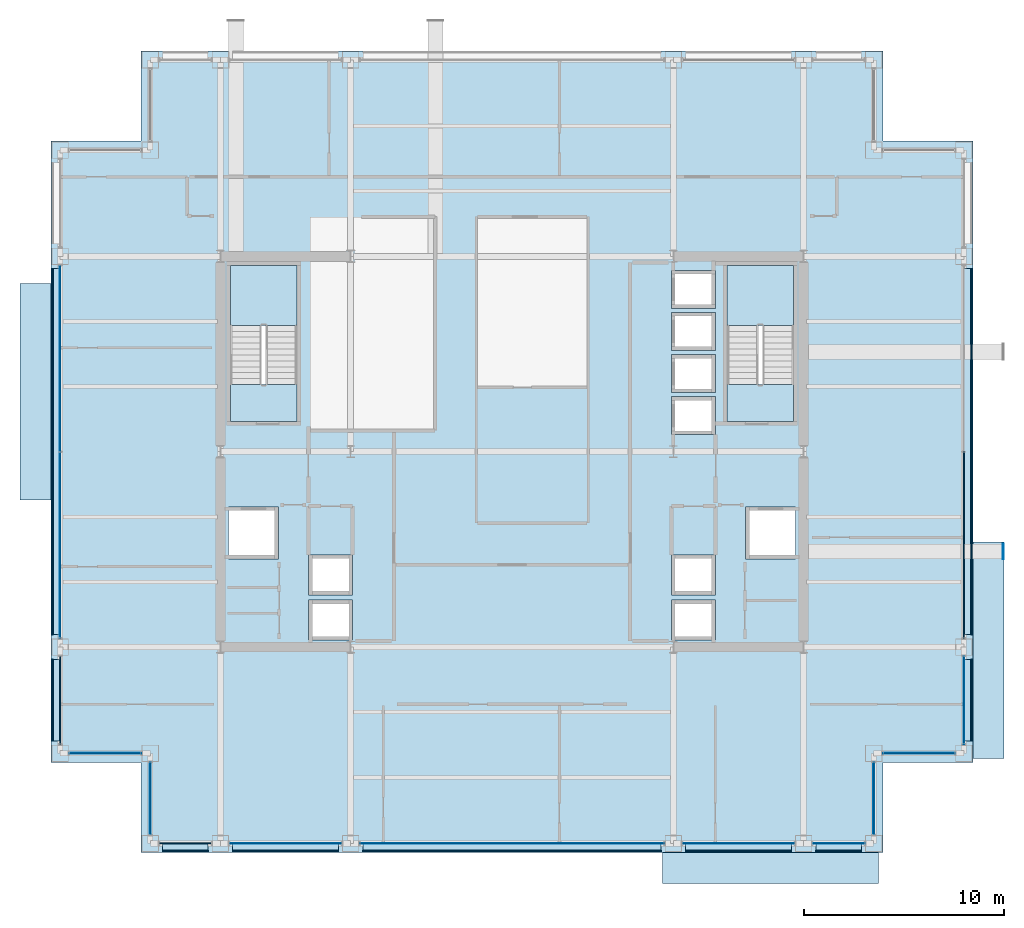
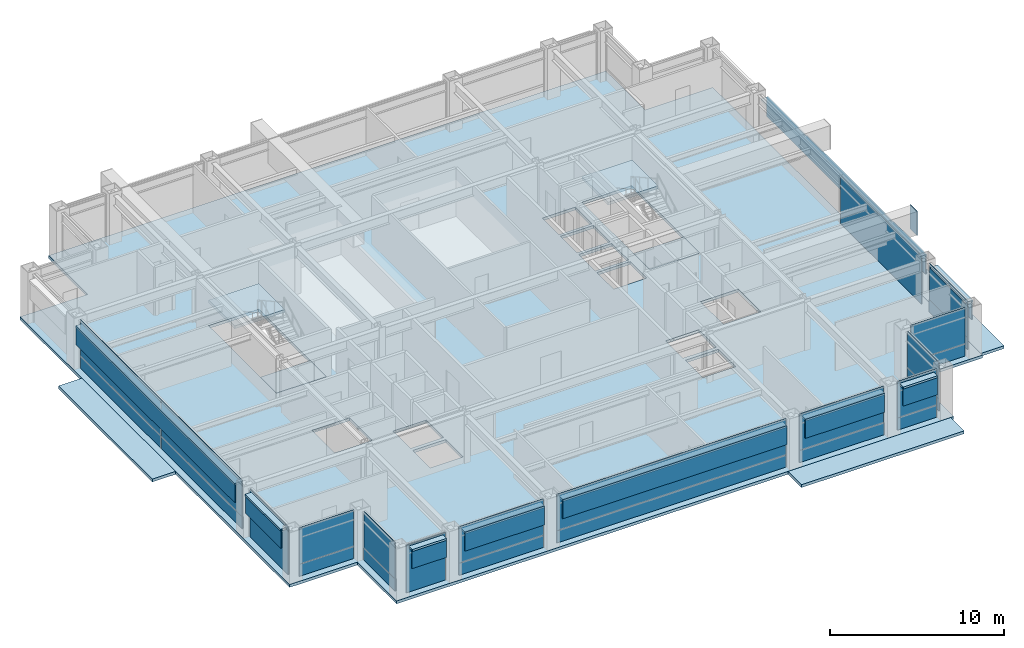
# One storey, part 29 of 34: 44 plates, 8 slabs, 15 elements without a shape of their own.
"""IFC4 building model written with IfcOpenShell, lengths in metres."""

from ifc_helpers import new_model, si_unit, direction, frame, origin, origin_2d, place, context, subcontext, project, spatial, polyline, rectangle, outline, extrude, material, layer, layer_set, type_object, element, aggregate, save


model = new_model("IFC4")

# Units and contexts
model_context = context("Model", 3, precision=1e-05, world=origin(), true_north=direction((0.0, 1.0)))
body_context = subcontext(model_context, "Body", "Model", "MODEL_VIEW")
ifc_project = project(units=[si_unit("LENGTHUNIT", "METRE"), si_unit("AREAUNIT", "SQUARE_METRE"), si_unit("VOLUMEUNIT", "CUBIC_METRE"), si_unit("PLANEANGLEUNIT", "RADIAN"), si_unit("MASSUNIT", "GRAM", prefix="KILO")], contexts=[model_context])

# Site, building, storey
site_placement = place(None, origin())
site = spatial("IfcSite", under=ifc_project, at=site_placement, CompositionType="ELEMENT")
building_placement = place(site_placement, origin())
building = spatial("IfcBuilding", under=site, at=building_placement, Name="Brelmoor Portico Tower", CompositionType="ELEMENT")
storey_placement = place(building_placement, frame((0.0, 0.0, 117.0)))
storey = spatial("IfcBuildingStorey", under=building, at=storey_placement, Name="L30", CompositionType="ELEMENT", Elevation=117.0)

# Plate
ifc_material_1 = material(Name="Steel Q355B", Category="steel")
ifc_layer_1 = layer(ifc_material_1, 0.044921875)
ifc_layer_set_1 = layer_set([ifc_layer_1], Name="Steel Q355B")
plate_type_1 = type_object("IfcPlateType", Name="PT-CAP-650", PredefinedType="SHEET", material=ifc_layer_set_1)
plate_1_placement = place(storey_placement, frame((24.52001953125, -4.97998046875, 1.72021484375), z_axis=(0.0, 0.0, 1.0), x_axis=(1.0, 0.0, 0.0)))
element("IfcPlate", 1, at=plate_1_placement, inside=storey, type_object=plate_type_1, Name="L30 Picture-Frame Cantilever End Cap Plate PFB-03", PredefinedType="SHEET", context=body_context, shape_type="SweptSolid", body=[
    extrude(rectangle(XDim=0.0400390625, YDim=0.7900390625, at=origin_2d()), origin(), (0.0, 0.0, 1.0), 1.699951171875),
])

# Curtain wall, plate
ifc_material_2 = material(Name="Anodised Aluminium Alloy 6063-T6", Category="aluminium")
ifc_layer_2 = layer(ifc_material_2, 0.179931640625)
ifc_layer_set_2 = layer_set([ifc_layer_2], Name="Anodised Aluminium Alloy 6063-T6")
curtain_wall_type_1 = type_object("IfcCurtainWallType", Name="CW-TOWER-Z2", PredefinedType="NOTDEFINED", material=ifc_layer_set_2)
curtain_wall_1_placement = place(storey_placement, origin())
curtain_wall_1 = element("IfcCurtainWall", 2, at=curtain_wall_1_placement, inside=storey, type_object=curtain_wall_type_1, Name="L30 Curtain Wall CW-L30-01-2", PredefinedType="NOTDEFINED")
ifc_material_3 = material(Name="Double-Silver Low-E Insulated Glazing", Category="glass")
ifc_layer_3 = layer(ifc_material_3, 0.035888671875)
ifc_layer_set_3 = layer_set([ifc_layer_3], Name="Double-Silver Low-E Insulated Glazing")
plate_type_2 = type_object("IfcPlateType", Name="PT-CW-GLASS", PredefinedType="CURTAIN_PANEL", material=ifc_layer_set_3)
plate_2_placement = place(storey_placement, frame((-11.300048828125, -19.550048828125, 0.85009765625), z_axis=(0.0, 0.0, 1.0), x_axis=(1.0, 0.0, 0.0)))
plate_2 = element("IfcPlate", 3, at=plate_2_placement, type_object=plate_type_2, Name="CW-L30-01-2 Vision Glass Panel 00", PredefinedType="CURTAIN_PANEL", context=body_context, shape_type="SweptSolid", body=[
    extrude(rectangle(XDim=5.60009765625, YDim=0.035888671875, at=origin_2d()), origin(), (0.0, 0.0, 1.0), 2.550048828125),
])

curtain_wall_2_placement = place(storey_placement, origin())
curtain_wall_2 = element("IfcCurtainWall", 4, at=curtain_wall_2_placement, inside=storey, type_object=curtain_wall_type_1, Name="L30 Curtain Wall CW-L30-01-3", PredefinedType="NOTDEFINED")
plate_3_placement = place(storey_placement, frame((0.0, -19.550048828125, 0.85009765625), z_axis=(0.0, 0.0, 1.0), x_axis=(1.0, 0.0, 0.0)))
plate_3 = element("IfcPlate", 5, at=plate_3_placement, type_object=plate_type_2, Name="CW-L30-01-3 Vision Glass Panel 00", PredefinedType="CURTAIN_PANEL", context=body_context, shape_type="SweptSolid", body=[
    extrude(rectangle(XDim=15.199951171875, YDim=0.035888671875, at=origin_2d()), origin(), (0.0, 0.0, 1.0), 2.550048828125),
])

curtain_wall_3_placement = place(storey_placement, origin())
curtain_wall_3 = element("IfcCurtainWall", 6, at=curtain_wall_3_placement, inside=storey, type_object=curtain_wall_type_1, Name="L30 Curtain Wall CW-L30-01-4", PredefinedType="NOTDEFINED")
plate_4_placement = place(storey_placement, frame((11.300048828125, -19.550048828125, 0.85009765625), z_axis=(0.0, 0.0, 1.0), x_axis=(1.0, 0.0, 0.0)))
plate_4 = element("IfcPlate", 7, at=plate_4_placement, type_object=plate_type_2, Name="CW-L30-01-4 Vision Glass Panel 00", PredefinedType="CURTAIN_PANEL", context=body_context, shape_type="SweptSolid", body=[
    extrude(rectangle(XDim=5.60009765625, YDim=0.035888671875, at=origin_2d()), origin(), (0.0, 0.0, 1.0), 2.550048828125),
])

curtain_wall_4_placement = place(storey_placement, origin())
curtain_wall_4 = element("IfcCurtainWall", 8, at=curtain_wall_4_placement, inside=storey, type_object=curtain_wall_type_1, Name="L30 Curtain Wall CW-L30-01-5", PredefinedType="NOTDEFINED")
plate_5_placement = place(storey_placement, frame((16.300048828125, -19.550048828125, 0.85009765625), z_axis=(0.0, 0.0, 1.0), x_axis=(1.0, 0.0, 0.0)))
plate_5 = element("IfcPlate", 9, at=plate_5_placement, type_object=plate_type_2, Name="CW-L30-01-5 Vision Glass Panel 00", PredefinedType="CURTAIN_PANEL", context=body_context, shape_type="SweptSolid", body=[
    extrude(rectangle(XDim=2.60009765625, YDim=0.035888671875, at=origin_2d()), origin(), (0.0, 0.0, 1.0), 2.550048828125),
])

# Curtain wall, plates
curtain_wall_5_placement = place(storey_placement, origin())
curtain_wall_5 = element("IfcCurtainWall", 10, at=curtain_wall_5_placement, inside=storey, type_object=curtain_wall_type_1, Name="L30 Curtain Wall CW-L30-03-2", PredefinedType="NOTDEFINED")
plate_6_placement = place(storey_placement, frame((-22.550048828125, -4.657470703125, 0.85009765625), z_axis=(0.0, 0.0, 1.0), x_axis=(0.0, 1.0, 0.0)))
plate_6 = element("IfcPlate", 11, at=plate_6_placement, type_object=plate_type_2, Name="CW-L30-03-2 Vision Glass Panel 00", PredefinedType="CURTAIN_PANEL", context=body_context, shape_type="SweptSolid", body=[
    extrude(rectangle(XDim=9.284912109375, YDim=0.035888671875, at=origin_2d()), origin(), (0.0, 0.0, 1.0), 2.550048828125),
])
plate_7_placement = place(storey_placement, frame((-22.550048828125, 4.657470703125, 0.85009765625), z_axis=(0.0, 0.0, 1.0), x_axis=(0.0, 1.0, 0.0)))
plate_7 = element("IfcPlate", 12, at=plate_7_placement, type_object=plate_type_2, Name="CW-L30-03-2 Vision Glass Panel 01", PredefinedType="CURTAIN_PANEL", context=body_context, shape_type="SweptSolid", body=[
    extrude(rectangle(XDim=9.284912109375, YDim=0.035888671875, at=origin_2d()), origin(), (0.0, 0.0, 1.0), 2.550048828125),
])

# Curtain wall, plate
curtain_wall_6_placement = place(storey_placement, origin())
curtain_wall_6 = element("IfcCurtainWall", 13, at=curtain_wall_6_placement, inside=storey, type_object=curtain_wall_type_1, Name="L30 Curtain Wall CW-L30-04-1", PredefinedType="NOTDEFINED")
plate_8_placement = place(storey_placement, frame((22.550048828125, -12.39990234375, 0.85009765625), z_axis=(0.0, 0.0, 1.0), x_axis=(0.0, 1.0, 0.0)))
plate_8 = element("IfcPlate", 14, at=plate_8_placement, type_object=plate_type_2, Name="CW-L30-04-1 Vision Glass Panel 00", PredefinedType="CURTAIN_PANEL", context=body_context, shape_type="SweptSolid", body=[
    extrude(rectangle(XDim=4.39990234375, YDim=0.035888671875, at=origin_2d()), origin(), (0.0, 0.0, 1.0), 2.550048828125),
])

ifc_layer_4 = layer(ifc_material_2, 0.179931640625)
ifc_layer_set_4 = layer_set([ifc_layer_4], Name="Anodised Aluminium Alloy 6063-T6")
curtain_wall_type_2 = type_object("IfcCurtainWallType", Name="CW-NOTCH-CHAMFER", PredefinedType="NOTDEFINED", material=ifc_layer_set_4)
curtain_wall_7_placement = place(storey_placement, origin())
curtain_wall_7 = element("IfcCurtainWall", 15, at=curtain_wall_7_placement, inside=storey, type_object=curtain_wall_type_2, Name="L30 Curtain Wall CWN-L30-SWH", PredefinedType="NOTDEFINED")
plate_9_placement = place(storey_placement, frame((-20.300048828125, -15.050048828125, 0.85009765625), z_axis=(0.0, 0.0, 1.0), x_axis=(1.0, 0.0, 0.0)))
plate_9 = element("IfcPlate", 16, at=plate_9_placement, type_object=plate_type_2, Name="CWN-L30-SWH Vision Glass Panel 00", PredefinedType="CURTAIN_PANEL", context=body_context, shape_type="SweptSolid", body=[
    extrude(rectangle(XDim=3.60009765625, YDim=0.035888671875, at=origin_2d()), origin(), (0.0, 0.0, 1.0), 2.550048828125),
])

curtain_wall_8_placement = place(storey_placement, origin())
curtain_wall_8 = element("IfcCurtainWall", 17, at=curtain_wall_8_placement, inside=storey, type_object=curtain_wall_type_2, Name="L30 Curtain Wall CWN-L30-SWV", PredefinedType="NOTDEFINED")
plate_10_placement = place(storey_placement, frame((-18.050048828125, -17.300048828125, 0.85009765625), z_axis=(0.0, 0.0, 1.0), x_axis=(0.0, 1.0, 0.0)))
plate_10 = element("IfcPlate", 18, at=plate_10_placement, type_object=plate_type_2, Name="CWN-L30-SWV Vision Glass Panel 00", PredefinedType="CURTAIN_PANEL", context=body_context, shape_type="SweptSolid", body=[
    extrude(rectangle(XDim=3.60009765625, YDim=0.035888671875, at=origin_2d()), origin(), (0.0, 0.0, 1.0), 2.550048828125),
])

curtain_wall_9_placement = place(storey_placement, origin())
curtain_wall_9 = element("IfcCurtainWall", 19, at=curtain_wall_9_placement, inside=storey, type_object=curtain_wall_type_2, Name="L30 Curtain Wall CWN-L30-SEH", PredefinedType="NOTDEFINED")
plate_11_placement = place(storey_placement, frame((20.300048828125, -15.050048828125, 0.85009765625), z_axis=(0.0, 0.0, 1.0), x_axis=(1.0, 0.0, 0.0)))
plate_11 = element("IfcPlate", 20, at=plate_11_placement, type_object=plate_type_2, Name="CWN-L30-SEH Vision Glass Panel 00", PredefinedType="CURTAIN_PANEL", context=body_context, shape_type="SweptSolid", body=[
    extrude(rectangle(XDim=3.60009765625, YDim=0.035888671875, at=origin_2d()), origin(), (0.0, 0.0, 1.0), 2.550048828125),
])

curtain_wall_10_placement = place(storey_placement, origin())
curtain_wall_10 = element("IfcCurtainWall", 21, at=curtain_wall_10_placement, inside=storey, type_object=curtain_wall_type_2, Name="L30 Curtain Wall CWN-L30-SEV", PredefinedType="NOTDEFINED")
plate_12_placement = place(storey_placement, frame((18.050048828125, -17.300048828125, 0.85009765625), z_axis=(0.0, 0.0, 1.0), x_axis=(0.0, 1.0, 0.0)))
plate_12 = element("IfcPlate", 22, at=plate_12_placement, type_object=plate_type_2, Name="CWN-L30-SEV Vision Glass Panel 00", PredefinedType="CURTAIN_PANEL", context=body_context, shape_type="SweptSolid", body=[
    extrude(rectangle(XDim=3.60009765625, YDim=0.035888671875, at=origin_2d()), origin(), (0.0, 0.0, 1.0), 2.550048828125),
])

ifc_layer_5 = layer(ifc_material_2, 0.179931640625)
ifc_layer_set_5 = layer_set([ifc_layer_5], Name="Anodised Aluminium Alloy 6063-T6")
curtain_wall_type_3 = type_object("IfcCurtainWallType", Name="CW-TOWER-Z2-XB", PredefinedType="NOTDEFINED", material=ifc_layer_set_5)
curtain_wall_11_placement = place(storey_placement, origin())
curtain_wall_11 = element("IfcCurtainWall", 23, at=curtain_wall_11_placement, inside=storey, type_object=curtain_wall_type_3, Name="L30 Curtain Wall CW-L30-01-1", PredefinedType="NOTDEFINED")
ifc_material_4 = material(Name="Pale Champagne Anodised Aluminium Panel", Category="aluminium")
ifc_layer_6 = layer(ifc_material_4, 0.050048828125)
ifc_layer_set_6 = layer_set([ifc_layer_6], Name="Pale Champagne Anodised Aluminium Panel")
plate_type_3 = type_object("IfcPlateType", Name="PT-CW-SPANDREL", PredefinedType="SHEET", material=ifc_layer_set_6)
plate_13_placement = place(storey_placement, frame((-16.300048828125, -19.550048828125, 0.0), z_axis=(0.0, 0.0, 1.0), x_axis=(1.0, 0.0, 0.0)))
plate_13 = element("IfcPlate", 24, at=plate_13_placement, type_object=plate_type_3, Name="CW-L30-01-1 Spandrel Panel 00", PredefinedType="SHEET", context=body_context, shape_type="SweptSolid", body=[
    extrude(rectangle(XDim=2.60009765625, YDim=0.050048828125, at=origin_2d()), origin(), (0.0, 0.0, 1.0), 3.330078125),
])
aggregate(curtain_wall_11, [plate_13])

# Plate
plate_14_placement = place(storey_placement, frame((-11.300048828125, -19.550048828125, 0.0), z_axis=(0.0, 0.0, 1.0), x_axis=(1.0, 0.0, 0.0)))
plate_14 = element("IfcPlate", 25, at=plate_14_placement, type_object=plate_type_3, Name="CW-L30-01-2 Spandrel Panel 00", PredefinedType="SHEET", context=body_context, shape_type="SweptSolid", body=[
    extrude(rectangle(XDim=5.60009765625, YDim=0.050048828125, at=origin_2d()), origin(), (0.0, 0.0, 1.0), 0.85009765625),
])

aggregate(curtain_wall_1, [plate_14, plate_2])

plate_15_placement = place(storey_placement, frame((0.0, -19.550048828125, 0.0), z_axis=(0.0, 0.0, 1.0), x_axis=(1.0, 0.0, 0.0)))
plate_15 = element("IfcPlate", 26, at=plate_15_placement, type_object=plate_type_3, Name="CW-L30-01-3 Spandrel Panel 00", PredefinedType="SHEET", context=body_context, shape_type="SweptSolid", body=[
    extrude(rectangle(XDim=15.199951171875, YDim=0.050048828125, at=origin_2d()), origin(), (0.0, 0.0, 1.0), 0.85009765625),
])

aggregate(curtain_wall_2, [plate_15, plate_3])

plate_16_placement = place(storey_placement, frame((11.300048828125, -19.550048828125, 0.0), z_axis=(0.0, 0.0, 1.0), x_axis=(1.0, 0.0, 0.0)))
plate_16 = element("IfcPlate", 27, at=plate_16_placement, type_object=plate_type_3, Name="CW-L30-01-4 Spandrel Panel 00", PredefinedType="SHEET", context=body_context, shape_type="SweptSolid", body=[
    extrude(rectangle(XDim=5.60009765625, YDim=0.050048828125, at=origin_2d()), origin(), (0.0, 0.0, 1.0), 0.85009765625),
])

aggregate(curtain_wall_3, [plate_16, plate_4])

plate_17_placement = place(storey_placement, frame((16.300048828125, -19.550048828125, 0.0), z_axis=(0.0, 0.0, 1.0), x_axis=(1.0, 0.0, 0.0)))
plate_17 = element("IfcPlate", 28, at=plate_17_placement, type_object=plate_type_3, Name="CW-L30-01-5 Spandrel Panel 00", PredefinedType="SHEET", context=body_context, shape_type="SweptSolid", body=[
    extrude(rectangle(XDim=2.60009765625, YDim=0.050048828125, at=origin_2d()), origin(), (0.0, 0.0, 1.0), 0.85009765625),
])

aggregate(curtain_wall_4, [plate_17, plate_5])

# Curtain wall, plate
curtain_wall_12_placement = place(storey_placement, origin())
curtain_wall_12 = element("IfcCurtainWall", 29, at=curtain_wall_12_placement, inside=storey, type_object=curtain_wall_type_3, Name="L30 Curtain Wall CW-L30-03-1", PredefinedType="NOTDEFINED")
plate_18_placement = place(storey_placement, frame((-22.550048828125, -12.39990234375, 0.0), z_axis=(0.0, 0.0, 1.0), x_axis=(0.0, 1.0, 0.0)))
plate_18 = element("IfcPlate", 30, at=plate_18_placement, type_object=plate_type_3, Name="CW-L30-03-1 Spandrel Panel 00", PredefinedType="SHEET", context=body_context, shape_type="SweptSolid", body=[
    extrude(rectangle(XDim=4.39990234375, YDim=0.050048828125, at=origin_2d()), origin(), (0.0, 0.0, 1.0), 3.330078125),
])
aggregate(curtain_wall_12, [plate_18])

# Plate
plate_19_placement = place(storey_placement, frame((-22.550048828125, -4.657470703125, 0.0), z_axis=(0.0, 0.0, 1.0), x_axis=(0.0, 1.0, 0.0)))
plate_19 = element("IfcPlate", 31, at=plate_19_placement, type_object=plate_type_3, Name="CW-L30-03-2 Spandrel Panel 00", PredefinedType="SHEET", context=body_context, shape_type="SweptSolid", body=[
    extrude(rectangle(XDim=9.284912109375, YDim=0.050048828125, at=origin_2d()), origin(), (0.0, 0.0, 1.0), 0.85009765625),
])

plate_20_placement = place(storey_placement, frame((-22.550048828125, 4.657470703125, 0.0), z_axis=(0.0, 0.0, 1.0), x_axis=(0.0, 1.0, 0.0)))
plate_20 = element("IfcPlate", 32, at=plate_20_placement, type_object=plate_type_3, Name="CW-L30-03-2 Spandrel Panel 01", PredefinedType="SHEET", context=body_context, shape_type="SweptSolid", body=[
    extrude(rectangle(XDim=9.284912109375, YDim=0.050048828125, at=origin_2d()), origin(), (0.0, 0.0, 1.0), 0.85009765625),
])

aggregate(curtain_wall_5, [plate_19, plate_6, plate_20, plate_7])

plate_21_placement = place(storey_placement, frame((22.550048828125, -12.39990234375, 0.0), z_axis=(0.0, 0.0, 1.0), x_axis=(0.0, 1.0, 0.0)))
plate_21 = element("IfcPlate", 33, at=plate_21_placement, type_object=plate_type_3, Name="CW-L30-04-1 Spandrel Panel 00", PredefinedType="SHEET", context=body_context, shape_type="SweptSolid", body=[
    extrude(rectangle(XDim=4.39990234375, YDim=0.050048828125, at=origin_2d()), origin(), (0.0, 0.0, 1.0), 0.85009765625),
])

aggregate(curtain_wall_6, [plate_21, plate_8])

# Curtain wall, plate
curtain_wall_13_placement = place(storey_placement, origin())
curtain_wall_13 = element("IfcCurtainWall", 34, at=curtain_wall_13_placement, inside=storey, type_object=curtain_wall_type_3, Name="L30 Curtain Wall CW-L30-04-2", PredefinedType="NOTDEFINED")
plate_22_placement = place(storey_placement, frame((22.550048828125, -4.657470703125, 0.0), z_axis=(0.0, 0.0, 1.0), x_axis=(0.0, 1.0, 0.0)))
plate_22 = element("IfcPlate", 35, at=plate_22_placement, type_object=plate_type_3, Name="CW-L30-04-2 Spandrel Panel 00", PredefinedType="SHEET", context=body_context, shape_type="SweptSolid", body=[
    extrude(rectangle(XDim=9.284912109375, YDim=0.050048828125, at=origin_2d()), origin(), (0.0, 0.0, 1.0), 3.330078125),
])
aggregate(curtain_wall_13, [plate_22])

# Plate
plate_23_placement = place(storey_placement, frame((-20.300048828125, -15.050048828125, 0.0), z_axis=(0.0, 0.0, 1.0), x_axis=(1.0, 0.0, 0.0)))
plate_23 = element("IfcPlate", 36, at=plate_23_placement, type_object=plate_type_3, Name="CWN-L30-SWH Spandrel Panel 00", PredefinedType="SHEET", context=body_context, shape_type="SweptSolid", body=[
    extrude(rectangle(XDim=3.60009765625, YDim=0.050048828125, at=origin_2d()), origin(), (0.0, 0.0, 1.0), 0.85009765625),
])

aggregate(curtain_wall_7, [plate_23, plate_9])

plate_24_placement = place(storey_placement, frame((-18.050048828125, -17.300048828125, 0.0), z_axis=(0.0, 0.0, 1.0), x_axis=(0.0, 1.0, 0.0)))
plate_24 = element("IfcPlate", 37, at=plate_24_placement, type_object=plate_type_3, Name="CWN-L30-SWV Spandrel Panel 00", PredefinedType="SHEET", context=body_context, shape_type="SweptSolid", body=[
    extrude(rectangle(XDim=3.60009765625, YDim=0.050048828125, at=origin_2d()), origin(), (0.0, 0.0, 1.0), 0.85009765625),
])

aggregate(curtain_wall_8, [plate_24, plate_10])

plate_25_placement = place(storey_placement, frame((20.300048828125, -15.050048828125, 0.0), z_axis=(0.0, 0.0, 1.0), x_axis=(1.0, 0.0, 0.0)))
plate_25 = element("IfcPlate", 38, at=plate_25_placement, type_object=plate_type_3, Name="CWN-L30-SEH Spandrel Panel 00", PredefinedType="SHEET", context=body_context, shape_type="SweptSolid", body=[
    extrude(rectangle(XDim=3.60009765625, YDim=0.050048828125, at=origin_2d()), origin(), (0.0, 0.0, 1.0), 0.85009765625),
])

aggregate(curtain_wall_9, [plate_25, plate_11])

plate_26_placement = place(storey_placement, frame((18.050048828125, -17.300048828125, 0.0), z_axis=(0.0, 0.0, 1.0), x_axis=(0.0, 1.0, 0.0)))
plate_26 = element("IfcPlate", 39, at=plate_26_placement, type_object=plate_type_3, Name="CWN-L30-SEV Spandrel Panel 00", PredefinedType="SHEET", context=body_context, shape_type="SweptSolid", body=[
    extrude(rectangle(XDim=3.60009765625, YDim=0.050048828125, at=origin_2d()), origin(), (0.0, 0.0, 1.0), 0.85009765625),
])

aggregate(curtain_wall_10, [plate_26, plate_12])

# Plates
ifc_material_5 = material(Name="Powder-Coated Aluminium Shuttered Jalousie Louvre", Category="aluminium")
ifc_layer_7 = layer(ifc_material_5, 0.06005859375)
ifc_layer_set_7 = layer_set([ifc_layer_7], Name="Powder-Coated Aluminium Shuttered Jalousie Louvre")
plate_type_4 = type_object("IfcPlateType", Name="PT-JALOUSIE-SHUTTER", PredefinedType="SHEET", material=ifc_layer_set_7)
plate_27_placement = place(storey_placement, frame((-16.300048828125, -19.929931640625, 1.8740234375), z_axis=(0.0, 0.0, 1.0), x_axis=(1.0, 0.0, 0.0)))
element("IfcPlate", 40, at=plate_27_placement, inside=storey, type_object=plate_type_4, Name="CW-L30-01-1 Perforated Jalousie Solar Screen", PredefinedType="SHEET", context=body_context, shape_type="SweptSolid", body=[
    extrude(rectangle(XDim=2.27001953125, YDim=0.06494140625, at=origin_2d()), origin(), (0.0, 0.0, 1.0), 1.325927734375),
])
plate_28_placement = place(storey_placement, frame((-11.300048828125, -19.929931640625, 1.8740234375), z_axis=(0.0, 0.0, 1.0), x_axis=(1.0, 0.0, 0.0)))
element("IfcPlate", 41, at=plate_28_placement, inside=storey, type_object=plate_type_4, Name="CW-L30-01-2 Perforated Jalousie Solar Screen", PredefinedType="SHEET", context=body_context, shape_type="SweptSolid", body=[
    extrude(rectangle(XDim=5.27001953125, YDim=0.06494140625, at=origin_2d()), origin(), (0.0, 0.0, 1.0), 1.325927734375),
])
plate_29_placement = place(storey_placement, frame((0.0, -19.929931640625, 1.8740234375), z_axis=(0.0, 0.0, 1.0), x_axis=(1.0, 0.0, 0.0)))
element("IfcPlate", 42, at=plate_29_placement, inside=storey, type_object=plate_type_4, Name="CW-L30-01-3 Perforated Jalousie Solar Screen", PredefinedType="SHEET", context=body_context, shape_type="SweptSolid", body=[
    extrude(rectangle(XDim=14.8701171875, YDim=0.06494140625, at=origin_2d()), origin(), (0.0, 0.0, 1.0), 1.325927734375),
])
plate_30_placement = place(storey_placement, frame((11.300048828125, -19.929931640625, 1.8740234375), z_axis=(0.0, 0.0, 1.0), x_axis=(1.0, 0.0, 0.0)))
element("IfcPlate", 43, at=plate_30_placement, inside=storey, type_object=plate_type_4, Name="CW-L30-01-4 Perforated Jalousie Solar Screen", PredefinedType="SHEET", context=body_context, shape_type="SweptSolid", body=[
    extrude(rectangle(XDim=5.27001953125, YDim=0.06494140625, at=origin_2d()), origin(), (0.0, 0.0, 1.0), 1.325927734375),
])
plate_31_placement = place(storey_placement, frame((16.300048828125, -19.929931640625, 1.8740234375), z_axis=(0.0, 0.0, 1.0), x_axis=(1.0, 0.0, 0.0)))
element("IfcPlate", 44, at=plate_31_placement, inside=storey, type_object=plate_type_4, Name="CW-L30-01-5 Perforated Jalousie Solar Screen", PredefinedType="SHEET", context=body_context, shape_type="SweptSolid", body=[
    extrude(rectangle(XDim=2.27001953125, YDim=0.06494140625, at=origin_2d()), origin(), (0.0, 0.0, 1.0), 1.325927734375),
])
plate_32_placement = place(storey_placement, frame((-22.929931640625, -12.39990234375, 1.8740234375), z_axis=(0.0, 0.0, 1.0), x_axis=(0.0, 1.0, 0.0)))
element("IfcPlate", 45, at=plate_32_placement, inside=storey, type_object=plate_type_4, Name="CW-L30-03-1 Perforated Jalousie Solar Screen", PredefinedType="SHEET", context=body_context, shape_type="SweptSolid", body=[
    extrude(rectangle(XDim=4.070068359375, YDim=0.06494140625, at=origin_2d()), origin(), (0.0, 0.0, 1.0), 1.325927734375),
])
plate_33_placement = place(storey_placement, frame((-22.929931640625, 0.0, 1.8740234375), z_axis=(0.0, 0.0, 1.0), x_axis=(0.0, 1.0, 0.0)))
element("IfcPlate", 46, at=plate_33_placement, inside=storey, type_object=plate_type_4, Name="CW-L30-03-2 Perforated Jalousie Solar Screen", PredefinedType="SHEET", context=body_context, shape_type="SweptSolid", body=[
    extrude(rectangle(XDim=18.27001953125, YDim=0.06494140625, at=origin_2d()), origin(), (0.0, 0.0, 1.0), 1.325927734375),
])
plate_34_placement = place(storey_placement, frame((22.929931640625, -12.39990234375, 1.8740234375), z_axis=(0.0, 0.0, 1.0), x_axis=(0.0, 1.0, 0.0)))
element("IfcPlate", 47, at=plate_34_placement, inside=storey, type_object=plate_type_4, Name="CW-L30-04-1 Perforated Jalousie Solar Screen", PredefinedType="SHEET", context=body_context, shape_type="SweptSolid", body=[
    extrude(rectangle(XDim=4.070068359375, YDim=0.06494140625, at=origin_2d()), origin(), (0.0, 0.0, 1.0), 1.325927734375),
])
plate_35_placement = place(storey_placement, frame((22.929931640625, 0.0, 1.8740234375), z_axis=(0.0, 0.0, 1.0), x_axis=(0.0, 1.0, 0.0)))
element("IfcPlate", 48, at=plate_35_placement, inside=storey, type_object=plate_type_4, Name="CW-L30-04-2 Perforated Jalousie Solar Screen", PredefinedType="SHEET", context=body_context, shape_type="SweptSolid", body=[
    extrude(rectangle(XDim=18.27001953125, YDim=0.06494140625, at=origin_2d()), origin(), (0.0, 0.0, 1.0), 1.325927734375),
])
ifc_material_6 = material(Name="Pale Champagne Perforated Aluminium Solar Screen", Category="aluminium")
ifc_layer_8 = layer(ifc_material_6, 0.054931640625)
ifc_layer_set_8 = layer_set([ifc_layer_8], Name="Pale Champagne Perforated Aluminium Solar Screen")
plate_type_5 = type_object("IfcPlateType", Name="PT-SOLAR-LOUVRE", PredefinedType="SHEET", material=ifc_layer_set_8)
plate_36_placement = place(storey_placement, frame((-16.300048828125, -19.760009765625, 3.08984375), z_axis=(0.0, 0.0, 1.0), x_axis=(1.0, 0.0, 0.0)))
element("IfcPlate", 49, at=plate_36_placement, inside=storey, type_object=plate_type_5, Name="CW-L30-01-1 Caribbean Brise-Soleil Solar Screen", PredefinedType="SHEET", context=body_context, shape_type="SweptSolid", body=[
    extrude(rectangle(XDim=2.27001953125, YDim=0.4599609375, at=origin_2d()), origin(), (0.0, 0.0, 1.0), 0.139892578125),
])
plate_37_placement = place(storey_placement, frame((-11.300048828125, -19.760009765625, 3.08984375), z_axis=(0.0, 0.0, 1.0), x_axis=(1.0, 0.0, 0.0)))
element("IfcPlate", 50, at=plate_37_placement, inside=storey, type_object=plate_type_5, Name="CW-L30-01-2 Caribbean Brise-Soleil Solar Screen", PredefinedType="SHEET", context=body_context, shape_type="SweptSolid", body=[
    extrude(rectangle(XDim=5.27001953125, YDim=0.4599609375, at=origin_2d()), origin(), (0.0, 0.0, 1.0), 0.139892578125),
])
plate_38_placement = place(storey_placement, frame((0.0, -19.760009765625, 3.08984375), z_axis=(0.0, 0.0, 1.0), x_axis=(1.0, 0.0, 0.0)))
element("IfcPlate", 51, at=plate_38_placement, inside=storey, type_object=plate_type_5, Name="CW-L30-01-3 Caribbean Brise-Soleil Solar Screen", PredefinedType="SHEET", context=body_context, shape_type="SweptSolid", body=[
    extrude(rectangle(XDim=14.8701171875, YDim=0.4599609375, at=origin_2d()), origin(), (0.0, 0.0, 1.0), 0.139892578125),
])
plate_39_placement = place(storey_placement, frame((11.300048828125, -19.760009765625, 3.08984375), z_axis=(0.0, 0.0, 1.0), x_axis=(1.0, 0.0, 0.0)))
element("IfcPlate", 52, at=plate_39_placement, inside=storey, type_object=plate_type_5, Name="CW-L30-01-4 Caribbean Brise-Soleil Solar Screen", PredefinedType="SHEET", context=body_context, shape_type="SweptSolid", body=[
    extrude(rectangle(XDim=5.27001953125, YDim=0.4599609375, at=origin_2d()), origin(), (0.0, 0.0, 1.0), 0.139892578125),
])
plate_40_placement = place(storey_placement, frame((16.300048828125, -19.760009765625, 3.08984375), z_axis=(0.0, 0.0, 1.0), x_axis=(1.0, 0.0, 0.0)))
element("IfcPlate", 53, at=plate_40_placement, inside=storey, type_object=plate_type_5, Name="CW-L30-01-5 Caribbean Brise-Soleil Solar Screen", PredefinedType="SHEET", context=body_context, shape_type="SweptSolid", body=[
    extrude(rectangle(XDim=2.27001953125, YDim=0.4599609375, at=origin_2d()), origin(), (0.0, 0.0, 1.0), 0.139892578125),
])
plate_41_placement = place(storey_placement, frame((-22.760009765625, -12.39990234375, 3.08984375), z_axis=(0.0, 0.0, 1.0), x_axis=(0.0, 1.0, 0.0)))
element("IfcPlate", 54, at=plate_41_placement, inside=storey, type_object=plate_type_5, Name="CW-L30-03-1 Caribbean Brise-Soleil Solar Screen", PredefinedType="SHEET", context=body_context, shape_type="SweptSolid", body=[
    extrude(rectangle(XDim=4.070068359375, YDim=0.4599609375, at=origin_2d()), origin(), (0.0, 0.0, 1.0), 0.139892578125),
])
plate_42_placement = place(storey_placement, frame((-22.760009765625, 0.0, 3.08984375), z_axis=(0.0, 0.0, 1.0), x_axis=(0.0, 1.0, 0.0)))
element("IfcPlate", 55, at=plate_42_placement, inside=storey, type_object=plate_type_5, Name="CW-L30-03-2 Caribbean Brise-Soleil Solar Screen", PredefinedType="SHEET", context=body_context, shape_type="SweptSolid", body=[
    extrude(rectangle(XDim=18.27001953125, YDim=0.4599609375, at=origin_2d()), origin(), (0.0, 0.0, 1.0), 0.139892578125),
])
plate_43_placement = place(storey_placement, frame((22.760009765625, -12.39990234375, 3.08984375), z_axis=(0.0, 0.0, 1.0), x_axis=(0.0, 1.0, 0.0)))
element("IfcPlate", 56, at=plate_43_placement, inside=storey, type_object=plate_type_5, Name="CW-L30-04-1 Caribbean Brise-Soleil Solar Screen", PredefinedType="SHEET", context=body_context, shape_type="SweptSolid", body=[
    extrude(rectangle(XDim=4.070068359375, YDim=0.4599609375, at=origin_2d()), origin(), (0.0, 0.0, 1.0), 0.139892578125),
])
plate_44_placement = place(storey_placement, frame((22.760009765625, 0.0, 3.08984375), z_axis=(0.0, 0.0, 1.0), x_axis=(0.0, 1.0, 0.0)))
element("IfcPlate", 57, at=plate_44_placement, inside=storey, type_object=plate_type_5, Name="CW-L30-04-2 Caribbean Brise-Soleil Solar Screen", PredefinedType="SHEET", context=body_context, shape_type="SweptSolid", body=[
    extrude(rectangle(XDim=18.27001953125, YDim=0.4599609375, at=origin_2d()), origin(), (0.0, 0.0, 1.0), 0.139892578125),
])

# Slab
ifc_material_7 = material(Name="Concrete C40", Category="concrete")
ifc_layer_9 = layer(ifc_material_7, 0.199951171875)
ifc_layer_set_9 = layer_set([ifc_layer_9], Name="Concrete C40")
slab_type_1 = type_object("IfcSlabType", Name="SL-FLOOR-200", PredefinedType="FLOOR", material=ifc_layer_set_9)
slab_1_placement = place(storey_placement, frame((0.0, 0.0, -0.199951171875)))
element("IfcSlab", 58, at=slab_1_placement, inside=storey, type_object=slab_type_1, Name="L30 Main Structural Floor Slab", PredefinedType="FLOOR", context=body_context, shape_type="SweptSolid", body=[
    extrude(outline(polyline([(-18.5, -20.0), (18.5, -20.0), (18.5, -15.5), (23.0, -15.5), (23.0, 15.5), (18.5, 15.5), (18.5, 20.0), (-18.5, 20.0), (-18.5, 15.5), (-23.0, 15.5), (-23.0, -15.5), (-18.5, -15.5), (-18.5, -20.0)]), holes=[polyline([(-10.72998046875, 1.5), (-10.72998046875, 9.300048828125), (-14.050048828125, 9.300048828125), (-14.050048828125, 1.5), (-10.72998046875, 1.5)]), polyline([(14.050048828125, 1.5), (14.050048828125, 9.300048828125), (10.72998046875, 9.300048828125), (10.72998046875, 1.5), (14.050048828125, 1.5)]), polyline([(7.949951171875, 0.85009765625), (10.14990234375, 0.85009765625), (10.14990234375, 2.75), (7.949951171875, 2.75), (7.949951171875, 0.85009765625)]), polyline([(7.949951171875, 2.949951171875), (10.14990234375, 2.949951171875), (10.14990234375, 4.85009765625), (7.949951171875, 4.85009765625), (7.949951171875, 2.949951171875)]), polyline([(7.949951171875, 5.050048828125), (10.14990234375, 5.050048828125), (10.14990234375, 6.949951171875), (7.949951171875, 6.949951171875), (7.949951171875, 5.050048828125)]), polyline([(7.949951171875, 7.14990234375), (10.14990234375, 7.14990234375), (10.14990234375, 9.050048828125), (7.949951171875, 9.050048828125), (7.949951171875, 7.14990234375)]), polyline([(-10.14990234375, -9.39990234375), (-7.949951171875, -9.39990234375), (-7.949951171875, -7.39990234375), (-10.14990234375, -7.39990234375), (-10.14990234375, -9.39990234375)]), polyline([(-10.14990234375, -7.14990234375), (-7.949951171875, -7.14990234375), (-7.949951171875, -5.14990234375), (-10.14990234375, -5.14990234375), (-10.14990234375, -7.14990234375)]), polyline([(7.949951171875, -9.39990234375), (10.14990234375, -9.39990234375), (10.14990234375, -7.39990234375), (7.949951171875, -7.39990234375), (7.949951171875, -9.39990234375)]), polyline([(7.949951171875, -7.14990234375), (10.14990234375, -7.14990234375), (10.14990234375, -5.14990234375), (7.949951171875, -5.14990234375), (7.949951171875, -7.14990234375)]), polyline([(-14.14990234375, -5.35009765625), (-11.64990234375, -5.35009765625), (-11.64990234375, -2.75), (-14.14990234375, -2.75), (-14.14990234375, -5.35009765625)]), polyline([(11.64990234375, -5.35009765625), (14.14990234375, -5.35009765625), (14.14990234375, -2.75), (11.64990234375, -2.75), (11.64990234375, -5.35009765625)])]), origin(), (0.0, 0.0, 1.0), 0.199951171875),
])

# Stair, slab
stair_type_1 = type_object("IfcStairType", Name="ST-CORE-W", PredefinedType="HALF_TURN_STAIR", material=ifc_material_7)
stair_1_placement = place(storey_placement, origin())
stair_1 = element("IfcStair", 59, at=stair_1_placement, inside=storey, type_object=stair_type_1, Name="L30 Protected Core Exit Stair ST-W", PredefinedType="HALF_TURN_STAIR")
ifc_layer_10 = layer(ifc_material_7, 0.179931640625)
ifc_layer_set_10 = layer_set([ifc_layer_10], Name="Concrete C40")
slab_type_2 = type_object("IfcSlabType", Name="SL-LANDING-180", PredefinedType="LANDING", material=ifc_layer_set_10)
slab_2_placement = place(storey_placement, frame((0.0, 0.0, 1.60009765625)))
slab_2 = element("IfcSlab", 60, at=slab_2_placement, type_object=slab_type_2, Name="ST-W landing 1", PredefinedType="LANDING", context=body_context, shape_type="SweptSolid", body=[
    extrude(outline(polyline([(-10.72998046875, 6.300048828125), (-10.72998046875, 9.300048828125), (-14.050048828125, 9.300048828125), (-14.050048828125, 6.300048828125), (-10.72998046875, 6.300048828125)])), origin(), (0.0, 0.0, 1.0), 0.199951171875),
])
aggregate(stair_1, [slab_2])

stair_type_2 = type_object("IfcStairType", Name="ST-CORE-E", PredefinedType="HALF_TURN_STAIR", material=ifc_material_7)
stair_2_placement = place(storey_placement, origin())
stair_2 = element("IfcStair", 61, at=stair_2_placement, inside=storey, type_object=stair_type_2, Name="L30 Protected Core Exit Stair ST-E", PredefinedType="HALF_TURN_STAIR")
slab_3_placement = place(storey_placement, frame((0.0, 0.0, 1.60009765625)))
slab_3 = element("IfcSlab", 62, at=slab_3_placement, type_object=slab_type_2, Name="ST-E landing 1", PredefinedType="LANDING", context=body_context, shape_type="SweptSolid", body=[
    extrude(outline(polyline([(14.050048828125, 6.300048828125), (14.050048828125, 9.300048828125), (10.72998046875, 9.300048828125), (10.72998046875, 6.300048828125), (14.050048828125, 6.300048828125)])), origin(), (0.0, 0.0, 1.0), 0.199951171875),
])
aggregate(stair_2, [slab_3])

# Slabs
ifc_layer_11 = layer(ifc_material_7, 0.199951171875)
ifc_layer_set_11 = layer_set([ifc_layer_11], Name="Concrete C40")
slab_type_3 = type_object("IfcSlabType", Name="SL-ROOF-200", PredefinedType="ROOF", material=ifc_layer_set_11)
slab_4_placement = place(storey_placement, frame((0.0, 0.0, -0.199951171875)))
element("IfcSlab", 63, at=slab_4_placement, inside=storey, type_object=slab_type_3, Name="L30 Picture-Frame Top Hood Slab S", PredefinedType="ROOF", context=body_context, shape_type="SweptSolid", body=[
    extrude(outline(polyline([(7.5, -21.550048828125), (18.300048828125, -21.550048828125), (18.300048828125, -20.0), (7.5, -20.0), (7.5, -21.550048828125)])), origin(), (0.0, 0.0, 1.0), 0.199951171875),
])
slab_5_placement = place(storey_placement, frame((0.0, 0.0, -0.199951171875)))
element("IfcSlab", 64, at=slab_5_placement, inside=storey, type_object=slab_type_3, Name="L30 Picture-Frame Top Hood Slab E", PredefinedType="ROOF", context=body_context, shape_type="SweptSolid", body=[
    extrude(outline(polyline([(23.0, -15.300048828125), (24.550048828125, -15.300048828125), (24.550048828125, -4.5), (23.0, -4.5), (23.0, -15.300048828125)])), origin(), (0.0, 0.0, 1.0), 0.199951171875),
])
slab_6_placement = place(storey_placement, frame((0.0, 0.0, -0.199951171875)))
element("IfcSlab", 65, at=slab_6_placement, inside=storey, type_object=slab_type_3, Name="L30 Picture-Frame Top Hood Slab W", PredefinedType="ROOF", context=body_context, shape_type="SweptSolid", body=[
    extrude(outline(polyline([(-24.550048828125, -2.39990234375), (-23.0, -2.39990234375), (-23.0, 8.39990234375), (-24.550048828125, 8.39990234375), (-24.550048828125, -2.39990234375)])), origin(), (0.0, 0.0, 1.0), 0.199951171875),
])
ifc_layer_12 = layer(ifc_material_7, 0.199951171875)
ifc_layer_set_12 = layer_set([ifc_layer_12], Name="Concrete C40")
slab_type_4 = type_object("IfcSlabType", Name="SL-STAIR-FL200", PredefinedType="LANDING", material=ifc_layer_set_12)
slab_7_placement = place(storey_placement, frame((0.0, 0.0, -0.199951171875)))
element("IfcSlab", 66, at=slab_7_placement, inside=storey, type_object=slab_type_4, Name="L30 ST-W Structural Floor Landing Slab", PredefinedType="LANDING", context=body_context, shape_type="SweptSolid", body=[
    extrude(outline(polyline([(-10.72998046875, 1.5), (-10.72998046875, 3.35009765625), (-14.050048828125, 3.35009765625), (-14.050048828125, 1.5), (-10.72998046875, 1.5)])), origin(), (0.0, 0.0, 1.0), 0.199951171875),
])
slab_8_placement = place(storey_placement, frame((0.0, 0.0, -0.199951171875)))
element("IfcSlab", 67, at=slab_8_placement, inside=storey, type_object=slab_type_4, Name="L30 ST-E Structural Floor Landing Slab", PredefinedType="LANDING", context=body_context, shape_type="SweptSolid", body=[
    extrude(outline(polyline([(14.050048828125, 1.5), (14.050048828125, 3.35009765625), (10.72998046875, 3.35009765625), (10.72998046875, 1.5), (14.050048828125, 1.5)])), origin(), (0.0, 0.0, 1.0), 0.199951171875),
])

save(model, "model.ifc")
